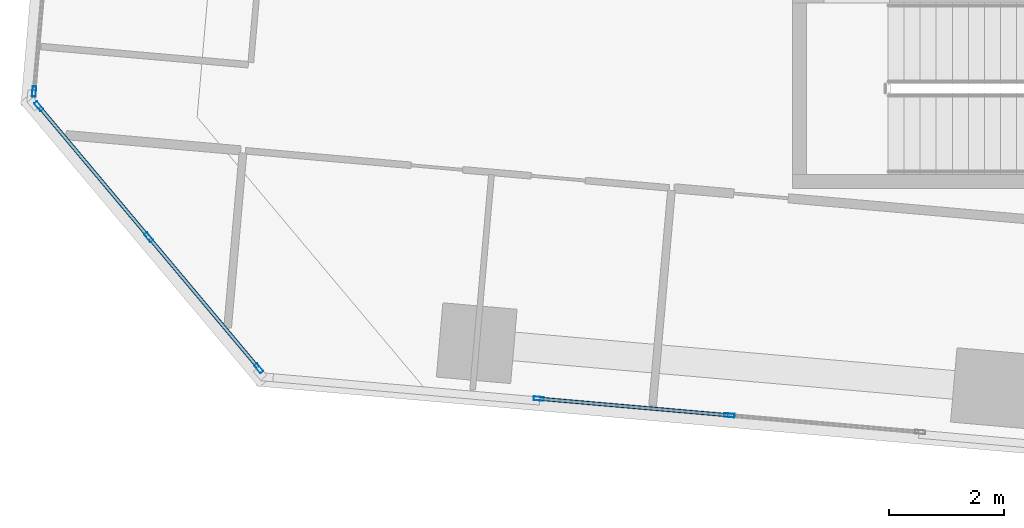
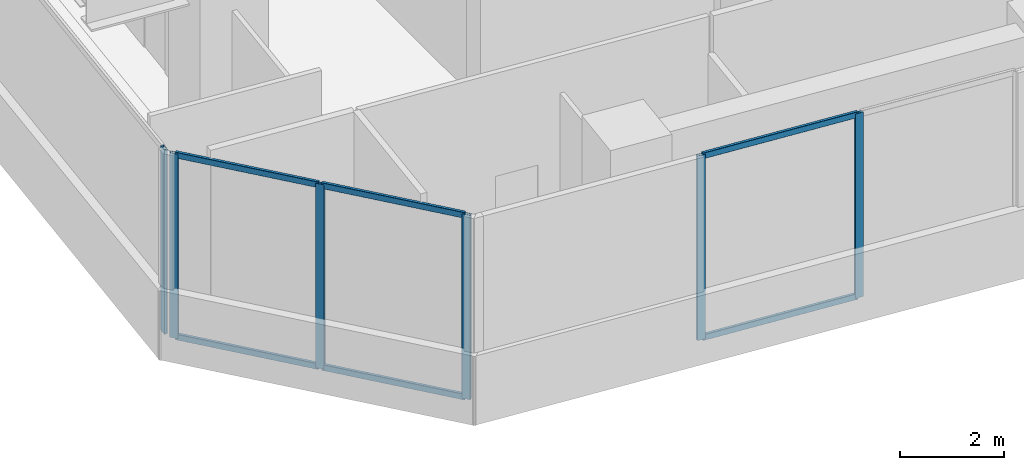
# One storey, part 2 of 24: 12 members, 3 elements without a shape of their own.
"""IFC4 building model written with IfcOpenShell, lengths in metres."""

from ifc_helpers import new_model, si_unit, direction, frame, origin, origin_2d, place, context, subcontext, project, spatial, hollow_rectangle, extrude, source, transform, mapped, material, material_profile, profile_set, type_object, element, aggregate, save


model = new_model("IFC4")

# Units and contexts
model_context = context("Model", 3, precision=1e-05, world=origin(), true_north=direction((0.0, 1.0)))
body_context = subcontext(model_context, "Body", "Model", "MODEL_VIEW")
ifc_project = project(units=[si_unit("LENGTHUNIT", "METRE"), si_unit("AREAUNIT", "SQUARE_METRE"), si_unit("VOLUMEUNIT", "CUBIC_METRE"), si_unit("PLANEANGLEUNIT", "RADIAN"), si_unit("MASSUNIT", "GRAM", prefix="KILO")], contexts=[model_context])

# Site, building, storey
site_placement = place(None, origin())
site = spatial("IfcSite", under=ifc_project, at=site_placement, CompositionType="ELEMENT")
building_placement = place(site_placement, origin())
building = spatial("IfcBuilding", under=site, at=building_placement, Name="Torre Montelarca", CompositionType="ELEMENT")
storey_placement = place(building_placement, frame((0.0, 0.0, 47.199951171875)))
storey = spatial("IfcBuildingStorey", under=building, at=storey_placement, Name="L10", CompositionType="ELEMENT", Elevation=47.199951171875)

# Curtain wall, members
ifc_material_1 = material(Name="Insulated low-E laminated glass", Category="glass")
curtain_wall_type = type_object("IfcCurtainWallType", Name="CW-SYS-Z1", PredefinedType="USERDEFINED", material=ifc_material_1)
curtain_wall_1_placement = place(storey_placement, origin())
curtain_wall_1 = element("IfcCurtainWall", 1, at=curtain_wall_1_placement, inside=storey, type_object=curtain_wall_type, Name="L10 Curtain Wall Run CW-T3-L10-E01-B1", ObjectType="UNITISED GLAZING", PredefinedType="USERDEFINED")
ifc_material_2 = material(Name="Anodised aluminium AA 6063-T6", Category="aluminium")
ifc_material_profile_1 = material_profile(ifc_material_2, hollow_rectangle(XDim=0.06494140625, YDim=0.179931640625, WallThickness=0.00390625, InnerFilletRadius=0.00390625, OuterFilletRadius=0.008056640625, at=origin_2d()), Name="ALU65X180X4", Category="aluminium")
ifc_profile_set_1 = profile_set([ifc_material_profile_1], Name="Anodised aluminium AA 6063-T6")
member_type_1 = type_object("IfcMemberType", Name="CWM-ALU180", PredefinedType="MULLION", material=ifc_profile_set_1)
shared_shape_1 = source(origin(), body_context, "Body", "SweptSolid", [
    extrude(hollow_rectangle(XDim=0.06494140625, YDim=0.179931640625, WallThickness=0.00390625, InnerFilletRadius=0.00390625, OuterFilletRadius=0.008056640625, at=origin_2d()), origin(), (0.0, 0.0, 1.0), 4.320068359375),
])
member_1_placement = place(storey_placement, frame((8.630859375, 14.987060546875, 0.0), z_axis=(0.0, 0.0, 1.0), x_axis=(0.087166766231, 0.9961937336, 0.0)))
member_1 = element("IfcMember", 2, at=member_1_placement, type_object=member_type_1, Name="CW mullion 1", PredefinedType="MULLION", context=body_context, shape_type="MappedRepresentation", body=[
    mapped(shared_shape_1, transform((0.0, 0.0, 0.0), scale=1.0)),
])
member_2_placement = place(storey_placement, frame((11.95556640625, 14.696044921875, 0.0), z_axis=(0.0, 0.0, 1.0), x_axis=(0.087166766231, 0.9961937336, 0.0)))
member_2 = element("IfcMember", 3, at=member_2_placement, type_object=member_type_1, Name="CW mullion 2", PredefinedType="MULLION", context=body_context, shape_type="MappedRepresentation", body=[
    mapped(shared_shape_1, transform((0.0, 0.0, 0.0), scale=1.0)),
])

# Curtain wall, member
curtain_wall_2_placement = place(storey_placement, origin())
curtain_wall_2 = element("IfcCurtainWall", 4, at=curtain_wall_2_placement, inside=storey, type_object=curtain_wall_type, Name="L10 Curtain Wall Run CW-T3-L10-E10-B1", ObjectType="UNITISED GLAZING", PredefinedType="USERDEFINED")
member_3_placement = place(storey_placement, frame((-0.16845703125, 20.342529296875, 0.0), z_axis=(0.0, 0.0, 1.0), x_axis=(0.99619413316, -0.087162199711, 0.0)))
member_3 = element("IfcMember", 5, at=member_3_placement, type_object=member_type_1, Name="CW mullion 3", PredefinedType="MULLION", context=body_context, shape_type="MappedRepresentation", body=[
    mapped(shared_shape_1, transform((0.0, 0.0, 0.0), scale=1.0)),
])
aggregate(curtain_wall_2, [member_3])

# Curtain wall, members
curtain_wall_3_placement = place(storey_placement, origin())
curtain_wall_3 = element("IfcCurtainWall", 6, at=curtain_wall_3_placement, inside=storey, type_object=curtain_wall_type, Name="L10 Curtain Wall Run CW-T3-L10-E11-B1", ObjectType="UNITISED GLAZING", PredefinedType="USERDEFINED")
member_4_placement = place(storey_placement, frame((-0.088134765625, 20.087890625, 0.0), z_axis=(0.0, 0.0, 1.0), x_axis=(0.766042761233, 0.642789614074, 0.0)))
member_4 = element("IfcMember", 7, at=member_4_placement, type_object=member_type_1, Name="CW mullion 1", PredefinedType="MULLION", context=body_context, shape_type="MappedRepresentation", body=[
    mapped(shared_shape_1, transform((0.0, 0.0, 0.0), scale=1.0)),
])
member_5_placement = place(storey_placement, frame((1.82958984375, 17.80224609375, 0.0), z_axis=(0.0, 0.0, 1.0), x_axis=(0.766042761233, 0.642789614074, 0.0)))
member_5 = element("IfcMember", 8, at=member_5_placement, type_object=member_type_1, Name="CW mullion 2", PredefinedType="MULLION", context=body_context, shape_type="MappedRepresentation", body=[
    mapped(shared_shape_1, transform((0.0, 0.0, 0.0), scale=1.0)),
])
member_6_placement = place(storey_placement, frame((3.74755859375, 15.5166015625, 0.0), z_axis=(0.0, 0.0, 1.0), x_axis=(0.766042761233, 0.642789614074, 0.0)))
member_6 = element("IfcMember", 9, at=member_6_placement, type_object=member_type_1, Name="CW mullion 3", PredefinedType="MULLION", context=body_context, shape_type="MappedRepresentation", body=[
    mapped(shared_shape_1, transform((0.0, 0.0, 0.0), scale=1.0)),
])

# Member
ifc_material_profile_2 = material_profile(ifc_material_2, hollow_rectangle(XDim=0.06494140625, YDim=0.139892578125, WallThickness=0.00390625, InnerFilletRadius=0.00390625, OuterFilletRadius=0.008056640625, at=origin_2d()), Name="ALU65X140X4", Category="aluminium")
ifc_profile_set_2 = profile_set([ifc_material_profile_2], Name="Anodised aluminium AA 6063-T6")
member_type_2 = type_object("IfcMemberType", Name="CWT-ALU140", PredefinedType="USERDEFINED", material=ifc_profile_set_2)
shared_shape_2 = source(origin(), body_context, "Body", "SweptSolid", [
    extrude(hollow_rectangle(XDim=0.06494140625, YDim=0.139892578125, WallThickness=0.00390625, InnerFilletRadius=0.00390625, OuterFilletRadius=0.008056640625, at=origin_2d()), origin(), (0.0, 0.0, 1.0), 3.2724609375),
])
member_7_placement = place(storey_placement, frame((8.6630859375, 14.984130859375, 0.032470703125), z_axis=(0.996196227428, -0.087138260588, 0.0), x_axis=(0.087138260588, 0.996196227428, 0.0)))
member_7 = element("IfcMember", 10, at=member_7_placement, type_object=member_type_2, Name="CW transom 1.1", ObjectType="TRANSOM", PredefinedType="USERDEFINED", context=body_context, shape_type="MappedRepresentation", body=[
    mapped(shared_shape_2, transform((0.0, 0.0, 0.0), scale=1.0)),
])

member_8_placement = place(storey_placement, frame((8.6630859375, 14.984130859375, 4.28759765625), z_axis=(0.996196227428, -0.087138260588, 0.0), x_axis=(0.087138260588, 0.996196227428, 0.0)))
member_8 = element("IfcMember", 11, at=member_8_placement, type_object=member_type_2, Name="CW transom 1.2", ObjectType="TRANSOM", PredefinedType="USERDEFINED", context=body_context, shape_type="MappedRepresentation", body=[
    mapped(shared_shape_2, transform((0.0, 0.0, 0.0), scale=1.0)),
])

aggregate(curtain_wall_1, [member_1, member_2, member_7, member_8])

shared_shape_3 = source(origin(), body_context, "Body", "SweptSolid", [
    extrude(hollow_rectangle(XDim=0.06494140625, YDim=0.139892578125, WallThickness=0.00390625, InnerFilletRadius=0.00390625, OuterFilletRadius=0.008056640625, at=origin_2d()), origin(), (0.0, 0.0, 1.0), 2.918701171875),
])
member_9_placement = place(storey_placement, frame((-0.0673828125, 20.06298828125, 0.032470703125), z_axis=(0.642813407314, -0.766022795599, 0.0), x_axis=(0.766022795599, 0.642813407314, 0.0)))
member_9 = element("IfcMember", 12, at=member_9_placement, type_object=member_type_2, Name="CW transom 1.1", ObjectType="TRANSOM", PredefinedType="USERDEFINED", context=body_context, shape_type="MappedRepresentation", body=[
    mapped(shared_shape_3, transform((0.0, 0.0, 0.0), scale=1.0)),
])

member_10_placement = place(storey_placement, frame((-0.0673828125, 20.06298828125, 4.28759765625), z_axis=(0.642813407314, -0.766022795599, 0.0), x_axis=(0.766022795599, 0.642813407314, 0.0)))
member_10 = element("IfcMember", 13, at=member_10_placement, type_object=member_type_2, Name="CW transom 1.2", ObjectType="TRANSOM", PredefinedType="USERDEFINED", context=body_context, shape_type="MappedRepresentation", body=[
    mapped(shared_shape_3, transform((0.0, 0.0, 0.0), scale=1.0)),
])

member_11_placement = place(storey_placement, frame((1.8505859375, 17.77734375, 0.032470703125), z_axis=(0.642764321107, -0.766063983954, 0.0), x_axis=(0.766063983954, 0.642764321107, 0.0)))
member_11 = element("IfcMember", 14, at=member_11_placement, type_object=member_type_2, Name="CW transom 2.1", ObjectType="TRANSOM", PredefinedType="USERDEFINED", context=body_context, shape_type="MappedRepresentation", body=[
    mapped(shared_shape_3, transform((0.0, 0.0, 0.0), scale=1.0)),
])

member_12_placement = place(storey_placement, frame((1.8505859375, 17.77734375, 4.28759765625), z_axis=(0.642764321107, -0.766063983954, 0.0), x_axis=(0.766063983954, 0.642764321107, 0.0)))
member_12 = element("IfcMember", 15, at=member_12_placement, type_object=member_type_2, Name="CW transom 2.2", ObjectType="TRANSOM", PredefinedType="USERDEFINED", context=body_context, shape_type="MappedRepresentation", body=[
    mapped(shared_shape_3, transform((0.0, 0.0, 0.0), scale=1.0)),
])

aggregate(curtain_wall_3, [member_4, member_5, member_6, member_9, member_10, member_11, member_12])

save(model, "model.ifc")
